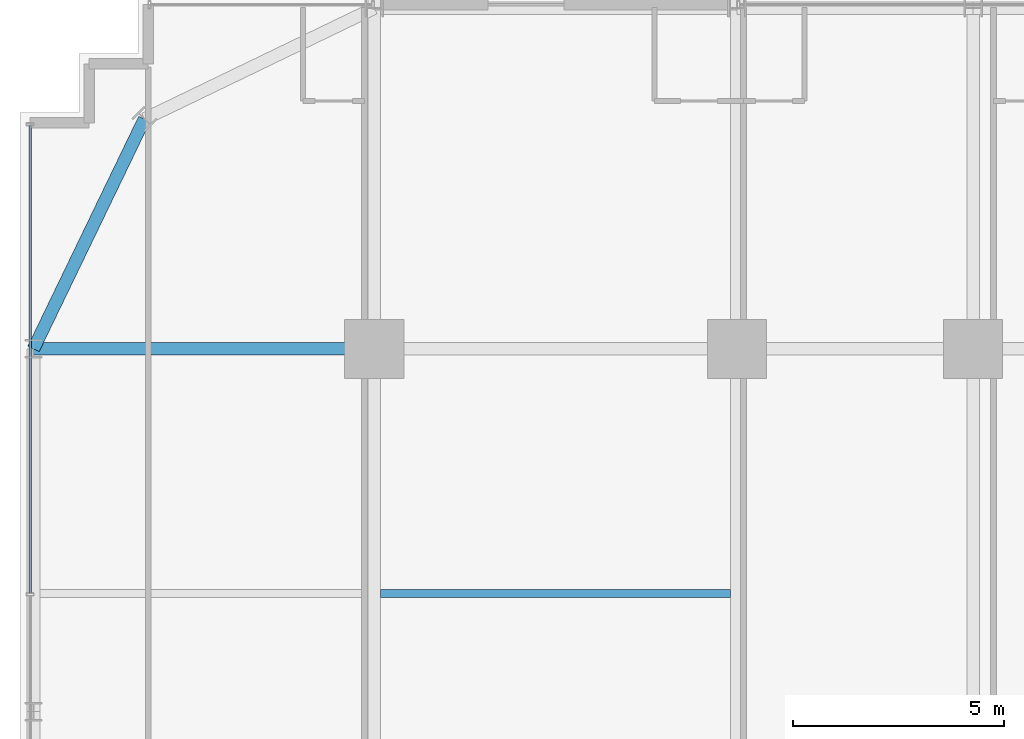
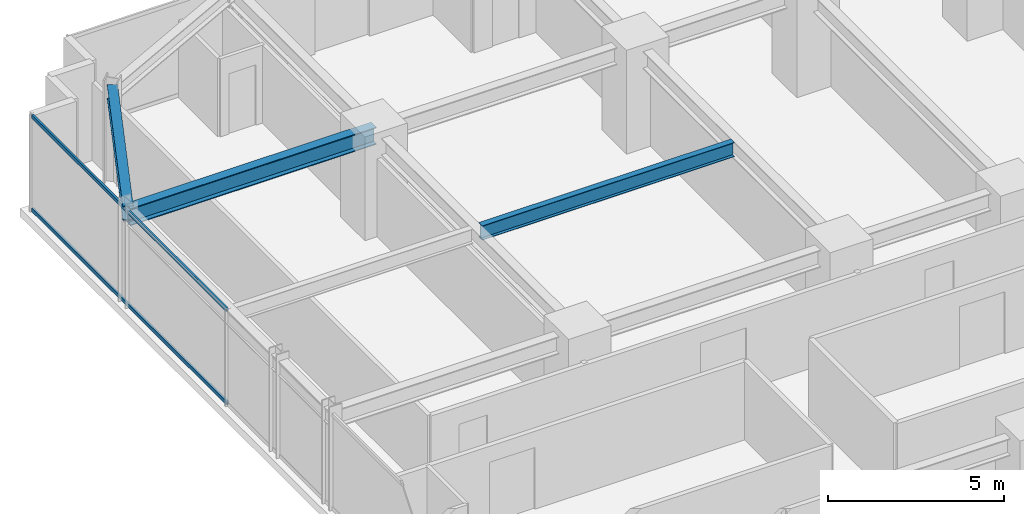
# One storey, part 19 of 35: 3 beams, 2 members, 1 element without a shape of its own.
"""IFC4 building model written with IfcOpenShell, lengths in metres."""

from ifc_helpers import new_model, si_unit, direction, frame, origin, origin_2d, place, context, subcontext, project, spatial, hollow_rectangle, i_section, extrude, source, transform, mapped, material, material_profile, profile_set, type_object, element, aggregate, save


model = new_model("IFC4")

# Units and contexts
model_context = context("Model", 3, precision=1e-05, world=origin(), true_north=direction((0.0, 1.0)))
body_context = subcontext(model_context, "Body", "Model", "MODEL_VIEW")
ifc_project = project(units=[si_unit("LENGTHUNIT", "METRE"), si_unit("AREAUNIT", "SQUARE_METRE"), si_unit("VOLUMEUNIT", "CUBIC_METRE"), si_unit("PLANEANGLEUNIT", "RADIAN"), si_unit("MASSUNIT", "GRAM", prefix="KILO")], contexts=[model_context])

# Site, building, storey
site_placement = place(None, origin())
site = spatial("IfcSite", under=ifc_project, at=site_placement, CompositionType="ELEMENT")
building_placement = place(site_placement, origin())
building = spatial("IfcBuilding", under=site, at=building_placement, Name="Nahalor Promenade Grand Hotel", CompositionType="ELEMENT")
storey_placement = place(building_placement, frame((0.0, 0.0, 39.699951171875)))
storey = spatial("IfcBuildingStorey", under=building, at=storey_placement, Name="L08", CompositionType="ELEMENT", Elevation=39.699951171875)

# Beams
ifc_material_1 = material(Name="Steel S355JR", Category="steel")
ifc_material_profile_1 = material_profile(ifc_material_1, i_section(OverallWidth=0.2, OverallDepth=0.5, WebThickness=0.0102, FlangeThickness=0.016, at=origin_2d()), Name="IPE 500")
ifc_profile_set_1 = profile_set([ifc_material_profile_1], Name="Steel S355JR")
beam_type_1 = type_object("IfcBeamType", Name="Beam-Joist-IPE500", PredefinedType="JOIST", material=ifc_profile_set_1)
shared_shape_1 = source(origin(), body_context, "Body", "SweptSolid", [
    extrude(i_section(OverallWidth=0.2, OverallDepth=0.5, WebThickness=0.0102, FlangeThickness=0.016, at=origin_2d()), origin(), (0.0, 0.0, 1.0), 8.300048828125),
])
beam_1_placement = place(storey_placement, frame((-16.85009765625, 11.199951171875, 3.1201171875), z_axis=(1.0, 0.0, 0.0), x_axis=(0.0, 1.0, 0.0)))
element("IfcBeam", 1, at=beam_1_placement, inside=storey, type_object=beam_type_1, Name="BM-L08-JSW-1-1", PredefinedType="JOIST", context=body_context, shape_type="MappedRepresentation", body=[
    mapped(shared_shape_1, transform((0.0, 0.0, 0.0), scale=1.0)),
])
ifc_material_profile_2 = material_profile(ifc_material_1, i_section(OverallWidth=0.3, OverallDepth=0.6, WebThickness=0.0155, FlangeThickness=0.03, at=origin_2d()), Name="HEB 600")
ifc_profile_set_2 = profile_set([ifc_material_profile_2], Name="Steel S355JR")
beam_type_2 = type_object("IfcBeamType", Name="Beam-Girder-HEB600", PredefinedType="BEAM", material=ifc_profile_set_2)
shared_shape_2 = source(origin(), body_context, "Body", "SweptSolid", [
    extrude(i_section(OverallWidth=0.3, OverallDepth=0.6, WebThickness=0.0155, FlangeThickness=0.03, at=origin_2d()), origin(), (0.0, 0.0, 1.0), 8.080078125),
])
beam_2_placement = place(storey_placement, frame((-25.080078125, 17.0, 3.070068359375), z_axis=(1.0, 0.0, 0.0), x_axis=(0.0, 1.0, 0.0)))
element("IfcBeam", 2, at=beam_2_placement, inside=storey, type_object=beam_type_2, Name="BM-L08-GX-3-0", PredefinedType="BEAM", context=body_context, shape_type="MappedRepresentation", body=[
    mapped(shared_shape_2, transform((0.0, 0.0, 0.0), scale=1.0)),
])
ifc_material_profile_3 = material_profile(ifc_material_1, i_section(OverallWidth=0.3, OverallDepth=0.5, WebThickness=0.0145, FlangeThickness=0.028, at=origin_2d()), Name="HEB 500")
ifc_profile_set_3 = profile_set([ifc_material_profile_3], Name="Steel S355JR")
beam_type_3 = type_object("IfcBeamType", Name="Beam-Spandrel-HEB500", PredefinedType="SPANDREL", material=ifc_profile_set_3)
shared_shape_3 = source(origin(), body_context, "Body", "SweptSolid", [
    extrude(i_section(OverallWidth=0.3, OverallDepth=0.5, WebThickness=0.0145, FlangeThickness=0.028, at=origin_2d()), origin(), (0.0, 0.0, 1.0), 6.051513671875),
])
beam_3_placement = place(storey_placement, frame((-22.449951171875, 22.449951171875, 3.1201171875), z_axis=(-0.434630596492, -0.900608818852, 0.0), x_axis=(0.900608818852, -0.434630596492, 0.0)))
element("IfcBeam", 3, at=beam_3_placement, inside=storey, type_object=beam_type_3, Name="BM-L08-SPC-NW-2", PredefinedType="SPANDREL", context=body_context, shape_type="MappedRepresentation", body=[
    mapped(shared_shape_3, transform((0.0, 0.0, 0.0), scale=1.0)),
])

# Curtain wall, members
ifc_material_2 = material(Name="Anodised Bronze Aluminium EN AW-6063 T6", Category="aluminium")
curtain_wall_type = type_object("IfcCurtainWallType", Name="CW2 Typical Hotel Flush Bronze Unitised Curtain Wall", PredefinedType="USERDEFINED", material=ifc_material_2)
curtain_wall_placement = place(storey_placement, origin())
curtain_wall = element("IfcCurtainWall", 4, at=curtain_wall_placement, inside=storey, type_object=curtain_wall_type, Name="L08 Curtain Wall CW-L08-W-1", ObjectType="UNITISED_CURTAIN_WALL", PredefinedType="USERDEFINED")
ifc_material_profile_4 = material_profile(ifc_material_2, hollow_rectangle(XDim=0.065, YDim=0.13, WallThickness=0.004, at=origin_2d()), Name="CWT 65x130x4")
ifc_profile_set_4 = profile_set([ifc_material_profile_4], Name="Anodised Bronze Aluminium EN AW-6063 T6")
member_type = type_object("IfcMemberType", Name="CWT2 Typical Bronze Transom 65x130", PredefinedType="USERDEFINED", material=ifc_profile_set_4)
shared_shape_4 = source(origin(), body_context, "Body", "SweptSolid", [
    extrude(hollow_rectangle(XDim=0.065, YDim=0.13, WallThickness=0.004, at=origin_2d()), origin(), (0.0, 0.0, 1.0), 11.08251953125),
])
member_1_placement = place(storey_placement, frame((-25.159912109375, 11.21240234375, 0.06494140625), z_axis=(0.0, 1.0, 0.0), x_axis=(-1.0, 0.0, 0.0)))
member_1 = element("IfcMember", 5, at=member_1_placement, type_object=member_type, Name="CW-L08-W-1 Transom 3-0", ObjectType="TRANSOM", PredefinedType="USERDEFINED", context=body_context, shape_type="MappedRepresentation", body=[
    mapped(shared_shape_4, transform((0.0, 0.0, 0.0), scale=1.0)),
])
member_2_placement = place(storey_placement, frame((-25.159912109375, 11.21240234375, 3.304931640625), z_axis=(0.0, 1.0, 0.0), x_axis=(-1.0, 0.0, 0.0)))
member_2 = element("IfcMember", 6, at=member_2_placement, type_object=member_type, Name="CW-L08-W-1 Transom 3-1", ObjectType="TRANSOM", PredefinedType="USERDEFINED", context=body_context, shape_type="MappedRepresentation", body=[
    mapped(shared_shape_4, transform((0.0, 0.0, 0.0), scale=1.0)),
])
aggregate(curtain_wall, [member_1, member_2])

save(model, "model.ifc")
